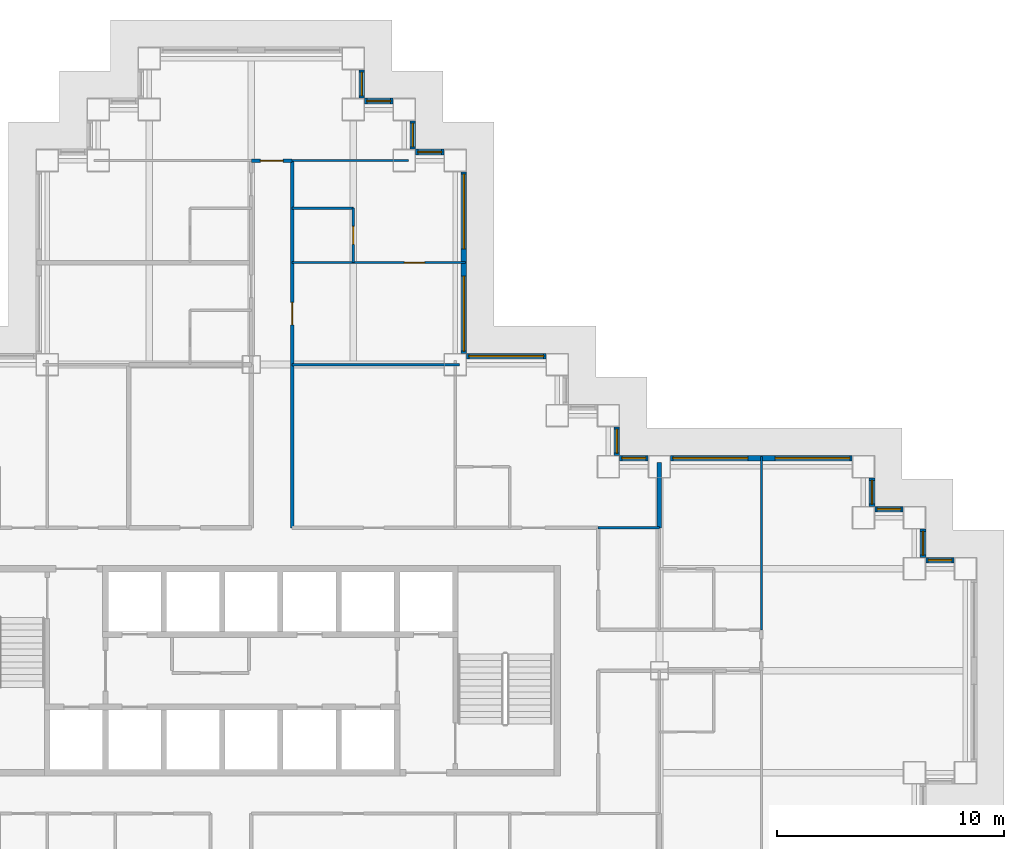
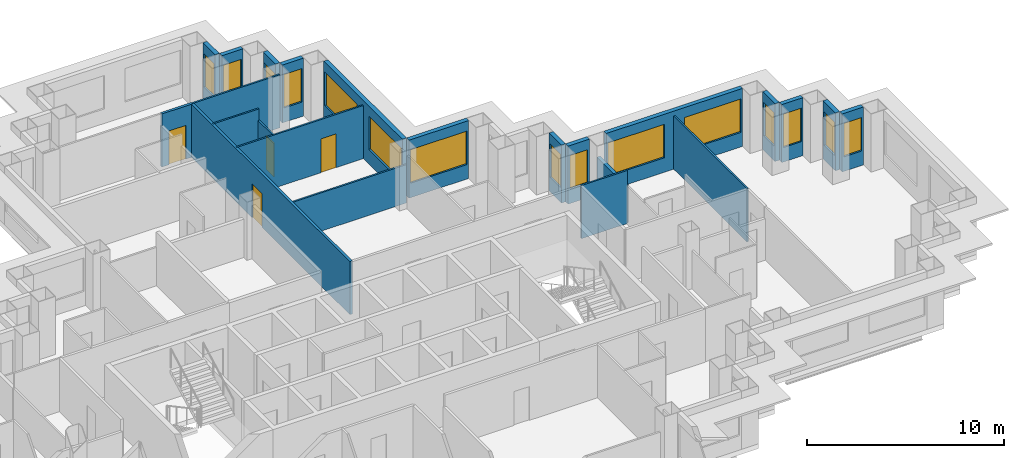
# One storey, part 9 of 14: 23 walls, 15 windows, 4 doors, 19 openings.
"""IFC4 building model written with IfcOpenShell, lengths in metres."""

from ifc_helpers import new_model, si_unit, direction, frame, frame_2d, origin, place, context, subcontext, project, spatial, rectangle, extrude, material, layer, layer_set, type_object, element, fill, save


model = new_model("IFC4")

# Units and contexts
model_context = context("Model", 3, precision=1e-05, world=origin(), true_north=direction((0.0, 1.0)))
body_context = subcontext(model_context, "Body", "Model", "MODEL_VIEW")
ifc_project = project(units=[si_unit("LENGTHUNIT", "METRE"), si_unit("AREAUNIT", "SQUARE_METRE"), si_unit("VOLUMEUNIT", "CUBIC_METRE"), si_unit("PLANEANGLEUNIT", "RADIAN"), si_unit("MASSUNIT", "GRAM", prefix="KILO")], contexts=[model_context])

# Site, building, storey
site_placement = place(None, origin())
site = spatial("IfcSite", under=ifc_project, at=site_placement, CompositionType="ELEMENT")
building_placement = place(site_placement, origin())
building = spatial("IfcBuilding", under=site, at=building_placement, Name="Caravel Reach Hotel and Residences", CompositionType="ELEMENT")
storey_placement = place(building_placement, frame((0.0, 0.0, 67.199951171875)))
storey = spatial("IfcBuildingStorey", under=building, at=storey_placement, Name="L15", CompositionType="ELEMENT", Elevation=67.199951171875)

# Wall
ifc_material_1 = material(Name="Gypsum board on steel stud", Category="steel")
ifc_layer_1 = layer(ifc_material_1, 0.10009765625)
ifc_layer_set_1 = layer_set([ifc_layer_1], Name="Bathroom pod wall 100 mm")
wall_type_1 = type_object("IfcWallType", Name="Bathroom pod wall 100 mm", PredefinedType="PARTITIONING", material=ifc_layer_set_1)
wall_1_placement = place(storey_placement, frame((33.300048828125, 47.39990234375, 0.0), z_axis=(0.0, 0.0, 1.0), x_axis=(1.0, 0.0, 0.0)))
element("IfcWall", 1, at=wall_1_placement, inside=storey, type_object=wall_type_1, Name="L15 wall w085", PredefinedType="PARTITIONING", context=body_context, shape_type="SweptSolid", body=[
    extrude(rectangle(XDim=2.699951171875, YDim=0.10009765625, at=frame_2d((1.35009765625, 0.0))), origin(), (0.0, 0.0, 1.0), 3.300048828125),
])

# Wall, opening, door
wall_2_placement = place(storey_placement, frame((36.0, 45.0, 0.0), z_axis=(0.0, 0.0, 1.0), x_axis=(0.0, 1.0, 0.0)))
wall_2 = element("IfcWall", 2, at=wall_2_placement, inside=storey, type_object=wall_type_1, Name="L15 wall w100", PredefinedType="PARTITIONING", context=body_context, shape_type="SweptSolid", body=[
    extrude(rectangle(XDim=2.39990234375, YDim=0.10009765625, at=frame_2d((1.199951171875, 0.0))), origin(), (0.0, 0.0, 1.0), 2.580078125),
])
opening_1_placement = place(wall_2_placement, frame((0.800048828125, 0.0, 0.0)))
opening_1 = element("IfcOpeningElement", 3, at=opening_1_placement, cuts=wall_2, Name="Opening D15-029", PredefinedType="OPENING", context=body_context, shape_type="SweptSolid", body=[
    extrude(rectangle(XDim=0.800048828125, YDim=2.10009765625, at=frame_2d((0.39990234375, 1.050048828125))), frame((0.0, 0.06005859375, 0.0), z_axis=(0.0, -1.0, 0.0), x_axis=(1.0, 0.0, 0.0)), (0.0, 0.0, 1.0), 0.1201171875),
])
ifc_material_2 = material(Name="Timber and steel door leaf", Category="steel")
door_type_1 = type_object("IfcDoorType", Name="Bathroom door 800 x 2100", OperationType="SINGLE_SWING_LEFT", PredefinedType="DOOR", material=ifc_material_2)
door_1_placement = place(opening_1_placement, origin())
door_1 = element("IfcDoor", 4, at=door_1_placement, inside=storey, type_object=door_type_1, Name="door D15-029", OperationType="SINGLE_SWING_RIGHT", OverallHeight=2.10009765625, OverallWidth=0.800048828125, PredefinedType="DOOR", context=body_context, shape_type="SweptSolid", body=[
    extrude(rectangle(XDim=0.800048828125, YDim=2.10009765625, at=frame_2d((0.39990234375, 1.050048828125))), frame((0.0, 0.02490234375, 0.0), z_axis=(0.0, -1.0, 0.0), x_axis=(1.0, 0.0, 0.0)), (0.0, 0.0, 1.0), 0.050048828125),
])
fill(opening_1, door_1)

ifc_material_3 = material(Name="Gypsum board on steel stud, fire-rated", Category="steel")
ifc_layer_2 = layer(ifc_material_3, 0.14990234375)
ifc_layer_set_2 = layer_set([ifc_layer_2], Name="Corridor wall 150 mm EI 60")
wall_type_2 = type_object("IfcWallType", Name="Corridor wall 150 mm EI 60", PredefinedType="PARTITIONING", material=ifc_layer_set_2)
wall_3_placement = place(storey_placement, frame((31.5, 49.5, 0.0), z_axis=(0.0, 0.0, 1.0), x_axis=(1.0, 0.0, 0.0)))
wall_3 = element("IfcWall", 5, at=wall_3_placement, inside=storey, type_object=wall_type_2, Name="L15 wall w020", PredefinedType="PARTITIONING", context=body_context, shape_type="SweptSolid", body=[
    extrude(rectangle(XDim=1.800048828125, YDim=0.14990234375, at=frame_2d((0.89990234375, 0.0))), origin(), (0.0, 0.0, 1.0), 3.300048828125),
])
opening_2_placement = place(wall_3_placement, frame((0.39990234375, 0.0, 0.0)))
opening_2 = element("IfcOpeningElement", 6, at=opening_2_placement, cuts=wall_3, Name="Opening D15-039", PredefinedType="OPENING", context=body_context, shape_type="SweptSolid", body=[
    extrude(rectangle(XDim=1.0, YDim=2.10009765625, at=frame_2d((0.5, 1.050048828125))), frame((0.0, 0.0849609375, 0.0), z_axis=(0.0, -1.0, 0.0), x_axis=(1.0, 0.0, 0.0)), (0.0, 0.0, 1.0), 0.169921875),
])
ifc_material_4 = material(Name="Steel fire door leaf", Category="steel")
door_type_2 = type_object("IfcDoorType", Name="Guest room door 1000 x 2100 EI 30", OperationType="SINGLE_SWING_LEFT", PredefinedType="DOOR", material=ifc_material_4)
door_2_placement = place(opening_2_placement, origin())
door_2 = element("IfcDoor", 7, at=door_2_placement, inside=storey, type_object=door_type_2, Name="door D15-039", OperationType="SINGLE_SWING_RIGHT", OverallHeight=2.10009765625, OverallWidth=1.0, PredefinedType="DOOR", context=body_context, shape_type="SweptSolid", body=[
    extrude(rectangle(XDim=1.0, YDim=2.10009765625, at=frame_2d((0.5, 1.050048828125))), frame((0.0, 0.02490234375, 0.0), z_axis=(0.0, -1.0, 0.0), x_axis=(1.0, 0.0, 0.0)), (0.0, 0.0, 1.0), 0.050048828125),
])
fill(opening_2, door_2)

wall_4_placement = place(storey_placement, frame((33.300048828125, 33.300048828125, 0.0), z_axis=(0.0, 0.0, 1.0), x_axis=(0.0, 1.0, 0.0)))
wall_4 = element("IfcWall", 8, at=wall_4_placement, inside=storey, type_object=wall_type_2, Name="L15 wall w031", PredefinedType="PARTITIONING", context=body_context, shape_type="SweptSolid", body=[
    extrude(rectangle(XDim=16.199951171875, YDim=0.14990234375, at=frame_2d((8.10009765625, 0.0))), origin(), (0.0, 0.0, 1.0), 3.300048828125),
])
opening_3_placement = place(wall_4_placement, frame((8.949951171875, 0.0, 0.0)))
opening_3 = element("IfcOpeningElement", 9, at=opening_3_placement, cuts=wall_4, Name="Opening D15-027", PredefinedType="OPENING", context=body_context, shape_type="SweptSolid", body=[
    extrude(rectangle(XDim=1.0, YDim=2.10009765625, at=frame_2d((0.5, 1.050048828125))), frame((0.0, 0.0849609375, 0.0), z_axis=(0.0, -1.0, 0.0), x_axis=(1.0, 0.0, 0.0)), (0.0, 0.0, 1.0), 0.169921875),
])
door_3_placement = place(opening_3_placement, origin())
door_3 = element("IfcDoor", 10, at=door_3_placement, inside=storey, type_object=door_type_2, Name="door D15-027", OperationType="SINGLE_SWING_LEFT", OverallHeight=2.10009765625, OverallWidth=1.0, PredefinedType="DOOR", context=body_context, shape_type="SweptSolid", body=[
    extrude(rectangle(XDim=1.0, YDim=2.10009765625, at=frame_2d((0.5, 1.050048828125))), frame((0.0, 0.02490234375, 0.0), z_axis=(0.0, -1.0, 0.0), x_axis=(1.0, 0.0, 0.0)), (0.0, 0.0, 1.0), 0.050048828125),
])
fill(opening_3, door_3)

# Wall, opening, window
ifc_material_5 = material(Name="Insulated rainscreen wall, aluminium cladding", Category="aluminium")
ifc_layer_3 = layer(ifc_material_5, 0.25)
ifc_layer_set_3 = layer_set([ifc_layer_3], Name="EW1 Tower rainscreen wall")
wall_type_3 = type_object("IfcWallType", Name="EW1 Tower rainscreen wall", PredefinedType="SOLIDWALL", material=ifc_layer_set_3)
wall_5_placement = place(storey_placement, frame((62.5, 31.875, 0.0), z_axis=(0.0, 0.0, 1.0), x_axis=(-1.0, 0.0, 0.0)))
wall_5 = element("IfcWall", 11, at=wall_5_placement, inside=storey, type_object=wall_type_3, Name="External wall L15 N21.1", PredefinedType="SOLIDWALL", context=body_context, shape_type="SweptSolid", body=[
    extrude(rectangle(XDim=1.25, YDim=0.25, at=frame_2d((0.625, 0.0))), origin(), (0.0, 0.0, 1.0), 3.60009765625),
])
opening_4_placement = place(wall_5_placement, frame((0.10009765625, 0.0, 0.89990234375)))
opening_4 = element("IfcOpeningElement", 12, at=opening_4_placement, cuts=wall_5, Name="Opening WN3", PredefinedType="OPENING", context=body_context, shape_type="SweptSolid", body=[
    extrude(rectangle(XDim=1.050048828125, YDim=2.080078125, at=frame_2d((0.52490234375, 1.0400390625))), frame((0.0, 0.135009765625, 0.0), z_axis=(0.0, -1.0, 0.0), x_axis=(1.0, 0.0, 0.0)), (0.0, 0.0, 1.0), 0.27001953125),
])
ifc_material_6 = material(Name="Dark low-e glazing in black aluminium frame", Category="aluminium")
window_type_1 = type_object("IfcWindowType", Name="Hotel suite corner window 1050 x 2080", PartitioningType="SINGLE_PANEL", PredefinedType="WINDOW", material=ifc_material_6)
window_1_placement = place(opening_4_placement, origin())
window_1 = element("IfcWindow", 13, at=window_1_placement, inside=storey, type_object=window_type_1, Name="Window L15 N21.1.1", OverallHeight=2.080078125, OverallWidth=1.050048828125, PartitioningType="SINGLE_PANEL", PredefinedType="WINDOW", context=body_context, shape_type="SweptSolid", body=[
    extrude(rectangle(XDim=1.050048828125, YDim=2.080078125, at=frame_2d((0.52490234375, 1.0400390625))), frame((0.0, 0.030029296875, 0.0), z_axis=(0.0, -1.0, 0.0), x_axis=(1.0, 0.0, 0.0)), (0.0, 0.0, 1.0), 0.06005859375),
])
fill(opening_4, window_1)

wall_6_placement = place(storey_placement, frame((61.125, 32.0, 0.0), z_axis=(0.0, 0.0, 1.0), x_axis=(0.0, 1.0, 0.0)))
wall_6 = element("IfcWall", 14, at=wall_6_placement, inside=storey, type_object=wall_type_3, Name="External wall L15 E22.1", PredefinedType="SOLIDWALL", context=body_context, shape_type="SweptSolid", body=[
    extrude(rectangle(XDim=1.25, YDim=0.25, at=frame_2d((0.625, 0.0))), origin(), (0.0, 0.0, 1.0), 3.60009765625),
])
opening_5_placement = place(wall_6_placement, frame((0.10009765625, 0.0, 0.89990234375)))
opening_5 = element("IfcOpeningElement", 15, at=opening_5_placement, cuts=wall_6, Name="Opening WN3", PredefinedType="OPENING", context=body_context, shape_type="SweptSolid", body=[
    extrude(rectangle(XDim=1.050048828125, YDim=2.080078125, at=frame_2d((0.52490234375, 1.0400390625))), frame((0.0, 0.135009765625, 0.0), z_axis=(0.0, -1.0, 0.0), x_axis=(1.0, 0.0, 0.0)), (0.0, 0.0, 1.0), 0.27001953125),
])
window_2_placement = place(opening_5_placement, origin())
window_2 = element("IfcWindow", 16, at=window_2_placement, inside=storey, type_object=window_type_1, Name="Window L15 E22.1.1", OverallHeight=2.080078125, OverallWidth=1.050048828125, PartitioningType="SINGLE_PANEL", PredefinedType="WINDOW", context=body_context, shape_type="SweptSolid", body=[
    extrude(rectangle(XDim=1.050048828125, YDim=2.080078125, at=frame_2d((0.52490234375, 1.0400390625))), frame((0.0, 0.030029296875, 0.0), z_axis=(0.0, -1.0, 0.0), x_axis=(1.0, 0.0, 0.0)), (0.0, 0.0, 1.0), 0.06005859375),
])
fill(opening_5, window_2)

wall_7_placement = place(storey_placement, frame((60.25, 34.125, 0.0), z_axis=(0.0, 0.0, 1.0), x_axis=(-1.0, 0.0, 0.0)))
wall_7 = element("IfcWall", 17, at=wall_7_placement, inside=storey, type_object=wall_type_3, Name="External wall L15 N23.1", PredefinedType="SOLIDWALL", context=body_context, shape_type="SweptSolid", body=[
    extrude(rectangle(XDim=1.25, YDim=0.25, at=frame_2d((0.625, 0.0))), origin(), (0.0, 0.0, 1.0), 3.60009765625),
])
opening_6_placement = place(wall_7_placement, frame((0.10009765625, 0.0, 0.89990234375)))
opening_6 = element("IfcOpeningElement", 18, at=opening_6_placement, cuts=wall_7, Name="Opening WN3", PredefinedType="OPENING", context=body_context, shape_type="SweptSolid", body=[
    extrude(rectangle(XDim=1.050048828125, YDim=2.080078125, at=frame_2d((0.52490234375, 1.0400390625))), frame((0.0, 0.135009765625, 0.0), z_axis=(0.0, -1.0, 0.0), x_axis=(1.0, 0.0, 0.0)), (0.0, 0.0, 1.0), 0.27001953125),
])
window_3_placement = place(opening_6_placement, origin())
window_3 = element("IfcWindow", 19, at=window_3_placement, inside=storey, type_object=window_type_1, Name="Window L15 N23.1.1", OverallHeight=2.080078125, OverallWidth=1.050048828125, PartitioningType="SINGLE_PANEL", PredefinedType="WINDOW", context=body_context, shape_type="SweptSolid", body=[
    extrude(rectangle(XDim=1.050048828125, YDim=2.080078125, at=frame_2d((0.52490234375, 1.0400390625))), frame((0.0, 0.030029296875, 0.0), z_axis=(0.0, -1.0, 0.0), x_axis=(1.0, 0.0, 0.0)), (0.0, 0.0, 1.0), 0.06005859375),
])
fill(opening_6, window_3)

wall_8_placement = place(storey_placement, frame((58.875, 34.25, 0.0), z_axis=(0.0, 0.0, 1.0), x_axis=(0.0, 1.0, 0.0)))
wall_8 = element("IfcWall", 20, at=wall_8_placement, inside=storey, type_object=wall_type_3, Name="External wall L15 E24.1", PredefinedType="SOLIDWALL", context=body_context, shape_type="SweptSolid", body=[
    extrude(rectangle(XDim=1.25, YDim=0.25, at=frame_2d((0.625, 0.0))), origin(), (0.0, 0.0, 1.0), 3.60009765625),
])
opening_7_placement = place(wall_8_placement, frame((0.10009765625, 0.0, 0.89990234375)))
opening_7 = element("IfcOpeningElement", 21, at=opening_7_placement, cuts=wall_8, Name="Opening WN3", PredefinedType="OPENING", context=body_context, shape_type="SweptSolid", body=[
    extrude(rectangle(XDim=1.050048828125, YDim=2.080078125, at=frame_2d((0.52490234375, 1.0400390625))), frame((0.0, 0.135009765625, 0.0), z_axis=(0.0, -1.0, 0.0), x_axis=(1.0, 0.0, 0.0)), (0.0, 0.0, 1.0), 0.27001953125),
])
window_4_placement = place(opening_7_placement, origin())
window_4 = element("IfcWindow", 22, at=window_4_placement, inside=storey, type_object=window_type_1, Name="Window L15 E24.1.1", OverallHeight=2.080078125, OverallWidth=1.050048828125, PartitioningType="SINGLE_PANEL", PredefinedType="WINDOW", context=body_context, shape_type="SweptSolid", body=[
    extrude(rectangle(XDim=1.050048828125, YDim=2.080078125, at=frame_2d((0.52490234375, 1.0400390625))), frame((0.0, 0.030029296875, 0.0), z_axis=(0.0, -1.0, 0.0), x_axis=(1.0, 0.0, 0.0)), (0.0, 0.0, 1.0), 0.06005859375),
])
fill(opening_7, window_4)

# Wall, openings, windows
wall_9_placement = place(storey_placement, frame((58.0, 36.375, 0.0), z_axis=(0.0, 0.0, 1.0), x_axis=(-1.0, 0.0, 0.0)))
wall_9 = element("IfcWall", 23, at=wall_9_placement, inside=storey, type_object=wall_type_3, Name="External wall L15 N25.1", PredefinedType="SOLIDWALL", context=body_context, shape_type="SweptSolid", body=[
    extrude(rectangle(XDim=8.0, YDim=0.25, at=frame_2d((4.0, 0.0))), origin(), (0.0, 0.0, 1.0), 3.60009765625),
])
opening_8_placement = place(wall_9_placement, frame((0.10009765625, 0.0, 0.89990234375)))
opening_8 = element("IfcOpeningElement", 24, at=opening_8_placement, cuts=wall_9, Name="Opening WN4", PredefinedType="OPENING", context=body_context, shape_type="SweptSolid", body=[
    extrude(rectangle(XDim=3.300048828125, YDim=2.080078125, at=frame_2d((1.64990234375, 1.0400390625))), frame((0.0, 0.135009765625, 0.0), z_axis=(0.0, -1.0, 0.0), x_axis=(1.0, 0.0, 0.0)), (0.0, 0.0, 1.0), 0.27001953125),
])
opening_9_placement = place(wall_9_placement, frame((4.60009765625, 0.0, 0.89990234375)))
opening_9 = element("IfcOpeningElement", 25, at=opening_9_placement, cuts=wall_9, Name="Opening WN4", PredefinedType="OPENING", context=body_context, shape_type="SweptSolid", body=[
    extrude(rectangle(XDim=3.300048828125, YDim=2.080078125, at=frame_2d((1.64990234375, 1.0400390625))), frame((0.0, 0.135009765625, 0.0), z_axis=(0.0, -1.0, 0.0), x_axis=(1.0, 0.0, 0.0)), (0.0, 0.0, 1.0), 0.27001953125),
])
ifc_material_7 = material(Name="Dark low-e glazing in black aluminium frame", Category="aluminium")
window_type_2 = type_object("IfcWindowType", Name="Hotel guest room window 3300 x 2080", PartitioningType="SINGLE_PANEL", PredefinedType="WINDOW", material=ifc_material_7)
window_5_placement = place(opening_8_placement, origin())
window_5 = element("IfcWindow", 26, at=window_5_placement, inside=storey, type_object=window_type_2, Name="Window L15 N25.1.1", OverallHeight=2.080078125, OverallWidth=3.300048828125, PartitioningType="SINGLE_PANEL", PredefinedType="WINDOW", context=body_context, shape_type="SweptSolid", body=[
    extrude(rectangle(XDim=3.300048828125, YDim=2.080078125, at=frame_2d((1.64990234375, 1.0400390625))), frame((0.0, 0.030029296875, 0.0), z_axis=(0.0, -1.0, 0.0), x_axis=(1.0, 0.0, 0.0)), (0.0, 0.0, 1.0), 0.06005859375),
])
fill(opening_8, window_5)
window_6_placement = place(opening_9_placement, origin())
window_6 = element("IfcWindow", 27, at=window_6_placement, inside=storey, type_object=window_type_2, Name="Window L15 N25.1.2", OverallHeight=2.080078125, OverallWidth=3.300048828125, PartitioningType="SINGLE_PANEL", PredefinedType="WINDOW", context=body_context, shape_type="SweptSolid", body=[
    extrude(rectangle(XDim=3.300048828125, YDim=2.080078125, at=frame_2d((1.64990234375, 1.0400390625))), frame((0.0, 0.030029296875, 0.0), z_axis=(0.0, -1.0, 0.0), x_axis=(1.0, 0.0, 0.0)), (0.0, 0.0, 1.0), 0.06005859375),
])
fill(opening_9, window_6)

# Wall, opening, window
wall_10_placement = place(storey_placement, frame((49.0, 36.375, 0.0), z_axis=(0.0, 0.0, 1.0), x_axis=(-1.0, 0.0, 0.0)))
wall_10 = element("IfcWall", 28, at=wall_10_placement, inside=storey, type_object=wall_type_3, Name="External wall L15 N25.2", PredefinedType="SOLIDWALL", context=body_context, shape_type="SweptSolid", body=[
    extrude(rectangle(XDim=1.25, YDim=0.25, at=frame_2d((0.625, 0.0))), origin(), (0.0, 0.0, 1.0), 3.60009765625),
])
opening_10_placement = place(wall_10_placement, frame((0.10009765625, 0.0, 0.89990234375)))
opening_10 = element("IfcOpeningElement", 29, at=opening_10_placement, cuts=wall_10, Name="Opening WN3", PredefinedType="OPENING", context=body_context, shape_type="SweptSolid", body=[
    extrude(rectangle(XDim=1.050048828125, YDim=2.080078125, at=frame_2d((0.52490234375, 1.0400390625))), frame((0.0, 0.135009765625, 0.0), z_axis=(0.0, -1.0, 0.0), x_axis=(1.0, 0.0, 0.0)), (0.0, 0.0, 1.0), 0.27001953125),
])
window_7_placement = place(opening_10_placement, origin())
window_7 = element("IfcWindow", 30, at=window_7_placement, inside=storey, type_object=window_type_1, Name="Window L15 N25.2.1", OverallHeight=2.080078125, OverallWidth=1.050048828125, PartitioningType="SINGLE_PANEL", PredefinedType="WINDOW", context=body_context, shape_type="SweptSolid", body=[
    extrude(rectangle(XDim=1.050048828125, YDim=2.080078125, at=frame_2d((0.52490234375, 1.0400390625))), frame((0.0, 0.030029296875, 0.0), z_axis=(0.0, -1.0, 0.0), x_axis=(1.0, 0.0, 0.0)), (0.0, 0.0, 1.0), 0.06005859375),
])
fill(opening_10, window_7)

wall_11_placement = place(storey_placement, frame((47.625, 36.5, 0.0), z_axis=(0.0, 0.0, 1.0), x_axis=(0.0, 1.0, 0.0)))
wall_11 = element("IfcWall", 31, at=wall_11_placement, inside=storey, type_object=wall_type_3, Name="External wall L15 E26.1", PredefinedType="SOLIDWALL", context=body_context, shape_type="SweptSolid", body=[
    extrude(rectangle(XDim=1.25, YDim=0.25, at=frame_2d((0.625, 0.0))), origin(), (0.0, 0.0, 1.0), 3.60009765625),
])
opening_11_placement = place(wall_11_placement, frame((0.10009765625, 0.0, 0.89990234375)))
opening_11 = element("IfcOpeningElement", 32, at=opening_11_placement, cuts=wall_11, Name="Opening WN3", PredefinedType="OPENING", context=body_context, shape_type="SweptSolid", body=[
    extrude(rectangle(XDim=1.050048828125, YDim=2.080078125, at=frame_2d((0.52490234375, 1.0400390625))), frame((0.0, 0.135009765625, 0.0), z_axis=(0.0, -1.0, 0.0), x_axis=(1.0, 0.0, 0.0)), (0.0, 0.0, 1.0), 0.27001953125),
])
window_8_placement = place(opening_11_placement, origin())
window_8 = element("IfcWindow", 33, at=window_8_placement, inside=storey, type_object=window_type_1, Name="Window L15 E26.1.1", OverallHeight=2.080078125, OverallWidth=1.050048828125, PartitioningType="SINGLE_PANEL", PredefinedType="WINDOW", context=body_context, shape_type="SweptSolid", body=[
    extrude(rectangle(XDim=1.050048828125, YDim=2.080078125, at=frame_2d((0.52490234375, 1.0400390625))), frame((0.0, 0.030029296875, 0.0), z_axis=(0.0, -1.0, 0.0), x_axis=(1.0, 0.0, 0.0)), (0.0, 0.0, 1.0), 0.06005859375),
])
fill(opening_11, window_8)

wall_12_placement = place(storey_placement, frame((44.5, 40.875, 0.0), z_axis=(0.0, 0.0, 1.0), x_axis=(-1.0, 0.0, 0.0)))
wall_12 = element("IfcWall", 34, at=wall_12_placement, inside=storey, type_object=wall_type_3, Name="External wall L15 N29.1", PredefinedType="SOLIDWALL", context=body_context, shape_type="SweptSolid", body=[
    extrude(rectangle(XDim=3.5, YDim=0.25, at=frame_2d((1.75, 0.0))), origin(), (0.0, 0.0, 1.0), 3.60009765625),
])
opening_12_placement = place(wall_12_placement, frame((0.10009765625, 0.0, 0.89990234375)))
opening_12 = element("IfcOpeningElement", 35, at=opening_12_placement, cuts=wall_12, Name="Opening WN4", PredefinedType="OPENING", context=body_context, shape_type="SweptSolid", body=[
    extrude(rectangle(XDim=3.300048828125, YDim=2.080078125, at=frame_2d((1.64990234375, 1.0400390625))), frame((0.0, 0.135009765625, 0.0), z_axis=(0.0, -1.0, 0.0), x_axis=(1.0, 0.0, 0.0)), (0.0, 0.0, 1.0), 0.27001953125),
])
window_9_placement = place(opening_12_placement, origin())
window_9 = element("IfcWindow", 36, at=window_9_placement, inside=storey, type_object=window_type_2, Name="Window L15 N29.1.1", OverallHeight=2.080078125, OverallWidth=3.300048828125, PartitioningType="SINGLE_PANEL", PredefinedType="WINDOW", context=body_context, shape_type="SweptSolid", body=[
    extrude(rectangle(XDim=3.300048828125, YDim=2.080078125, at=frame_2d((1.64990234375, 1.0400390625))), frame((0.0, 0.030029296875, 0.0), z_axis=(0.0, -1.0, 0.0), x_axis=(1.0, 0.0, 0.0)), (0.0, 0.0, 1.0), 0.06005859375),
])
fill(opening_12, window_9)

# Wall, openings, windows
wall_13_placement = place(storey_placement, frame((40.875, 41.0, 0.0), z_axis=(0.0, 0.0, 1.0), x_axis=(0.0, 1.0, 0.0)))
wall_13 = element("IfcWall", 37, at=wall_13_placement, inside=storey, type_object=wall_type_3, Name="External wall L15 E30.1", PredefinedType="SOLIDWALL", context=body_context, shape_type="SweptSolid", body=[
    extrude(rectangle(XDim=8.0, YDim=0.25, at=frame_2d((4.0, 0.0))), origin(), (0.0, 0.0, 1.0), 3.60009765625),
])
opening_13_placement = place(wall_13_placement, frame((0.10009765625, 0.0, 0.89990234375)))
opening_13 = element("IfcOpeningElement", 38, at=opening_13_placement, cuts=wall_13, Name="Opening WN4", PredefinedType="OPENING", context=body_context, shape_type="SweptSolid", body=[
    extrude(rectangle(XDim=3.300048828125, YDim=2.080078125, at=frame_2d((1.64990234375, 1.0400390625))), frame((0.0, 0.135009765625, 0.0), z_axis=(0.0, -1.0, 0.0), x_axis=(1.0, 0.0, 0.0)), (0.0, 0.0, 1.0), 0.27001953125),
])
opening_14_placement = place(wall_13_placement, frame((4.60009765625, 0.0, 0.89990234375)))
opening_14 = element("IfcOpeningElement", 39, at=opening_14_placement, cuts=wall_13, Name="Opening WN4", PredefinedType="OPENING", context=body_context, shape_type="SweptSolid", body=[
    extrude(rectangle(XDim=3.300048828125, YDim=2.080078125, at=frame_2d((1.64990234375, 1.0400390625))), frame((0.0, 0.135009765625, 0.0), z_axis=(0.0, -1.0, 0.0), x_axis=(1.0, 0.0, 0.0)), (0.0, 0.0, 1.0), 0.27001953125),
])
window_10_placement = place(opening_13_placement, origin())
window_10 = element("IfcWindow", 40, at=window_10_placement, inside=storey, type_object=window_type_2, Name="Window L15 E30.1.1", OverallHeight=2.080078125, OverallWidth=3.300048828125, PartitioningType="SINGLE_PANEL", PredefinedType="WINDOW", context=body_context, shape_type="SweptSolid", body=[
    extrude(rectangle(XDim=3.300048828125, YDim=2.080078125, at=frame_2d((1.64990234375, 1.0400390625))), frame((0.0, 0.030029296875, 0.0), z_axis=(0.0, -1.0, 0.0), x_axis=(1.0, 0.0, 0.0)), (0.0, 0.0, 1.0), 0.06005859375),
])
fill(opening_13, window_10)
window_11_placement = place(opening_14_placement, origin())
window_11 = element("IfcWindow", 41, at=window_11_placement, inside=storey, type_object=window_type_2, Name="Window L15 E30.1.2", OverallHeight=2.080078125, OverallWidth=3.300048828125, PartitioningType="SINGLE_PANEL", PredefinedType="WINDOW", context=body_context, shape_type="SweptSolid", body=[
    extrude(rectangle(XDim=3.300048828125, YDim=2.080078125, at=frame_2d((1.64990234375, 1.0400390625))), frame((0.0, 0.030029296875, 0.0), z_axis=(0.0, -1.0, 0.0), x_axis=(1.0, 0.0, 0.0)), (0.0, 0.0, 1.0), 0.06005859375),
])
fill(opening_14, window_11)

# Wall, opening, window
wall_14_placement = place(storey_placement, frame((40.0, 49.875, 0.0), z_axis=(0.0, 0.0, 1.0), x_axis=(-1.0, 0.0, 0.0)))
wall_14 = element("IfcWall", 42, at=wall_14_placement, inside=storey, type_object=wall_type_3, Name="External wall L15 N31.1", PredefinedType="SOLIDWALL", context=body_context, shape_type="SweptSolid", body=[
    extrude(rectangle(XDim=1.25, YDim=0.25, at=frame_2d((0.625, 0.0))), origin(), (0.0, 0.0, 1.0), 3.60009765625),
])
opening_15_placement = place(wall_14_placement, frame((0.10009765625, 0.0, 0.89990234375)))
opening_15 = element("IfcOpeningElement", 43, at=opening_15_placement, cuts=wall_14, Name="Opening WN3", PredefinedType="OPENING", context=body_context, shape_type="SweptSolid", body=[
    extrude(rectangle(XDim=1.050048828125, YDim=2.080078125, at=frame_2d((0.52490234375, 1.0400390625))), frame((0.0, 0.135009765625, 0.0), z_axis=(0.0, -1.0, 0.0), x_axis=(1.0, 0.0, 0.0)), (0.0, 0.0, 1.0), 0.27001953125),
])
window_12_placement = place(opening_15_placement, origin())
window_12 = element("IfcWindow", 44, at=window_12_placement, inside=storey, type_object=window_type_1, Name="Window L15 N31.1.1", OverallHeight=2.080078125, OverallWidth=1.050048828125, PartitioningType="SINGLE_PANEL", PredefinedType="WINDOW", context=body_context, shape_type="SweptSolid", body=[
    extrude(rectangle(XDim=1.050048828125, YDim=2.080078125, at=frame_2d((0.52490234375, 1.0400390625))), frame((0.0, 0.030029296875, 0.0), z_axis=(0.0, -1.0, 0.0), x_axis=(1.0, 0.0, 0.0)), (0.0, 0.0, 1.0), 0.06005859375),
])
fill(opening_15, window_12)

wall_15_placement = place(storey_placement, frame((38.625, 50.0, 0.0), z_axis=(0.0, 0.0, 1.0), x_axis=(0.0, 1.0, 0.0)))
wall_15 = element("IfcWall", 45, at=wall_15_placement, inside=storey, type_object=wall_type_3, Name="External wall L15 E32.1", PredefinedType="SOLIDWALL", context=body_context, shape_type="SweptSolid", body=[
    extrude(rectangle(XDim=1.25, YDim=0.25, at=frame_2d((0.625, 0.0))), origin(), (0.0, 0.0, 1.0), 3.60009765625),
])
opening_16_placement = place(wall_15_placement, frame((0.10009765625, 0.0, 0.89990234375)))
opening_16 = element("IfcOpeningElement", 46, at=opening_16_placement, cuts=wall_15, Name="Opening WN3", PredefinedType="OPENING", context=body_context, shape_type="SweptSolid", body=[
    extrude(rectangle(XDim=1.050048828125, YDim=2.080078125, at=frame_2d((0.52490234375, 1.0400390625))), frame((0.0, 0.135009765625, 0.0), z_axis=(0.0, -1.0, 0.0), x_axis=(1.0, 0.0, 0.0)), (0.0, 0.0, 1.0), 0.27001953125),
])
window_13_placement = place(opening_16_placement, origin())
window_13 = element("IfcWindow", 47, at=window_13_placement, inside=storey, type_object=window_type_1, Name="Window L15 E32.1.1", OverallHeight=2.080078125, OverallWidth=1.050048828125, PartitioningType="SINGLE_PANEL", PredefinedType="WINDOW", context=body_context, shape_type="SweptSolid", body=[
    extrude(rectangle(XDim=1.050048828125, YDim=2.080078125, at=frame_2d((0.52490234375, 1.0400390625))), frame((0.0, 0.030029296875, 0.0), z_axis=(0.0, -1.0, 0.0), x_axis=(1.0, 0.0, 0.0)), (0.0, 0.0, 1.0), 0.06005859375),
])
fill(opening_16, window_13)

wall_16_placement = place(storey_placement, frame((37.75, 52.125, 0.0), z_axis=(0.0, 0.0, 1.0), x_axis=(-1.0, 0.0, 0.0)))
wall_16 = element("IfcWall", 48, at=wall_16_placement, inside=storey, type_object=wall_type_3, Name="External wall L15 N33.1", PredefinedType="SOLIDWALL", context=body_context, shape_type="SweptSolid", body=[
    extrude(rectangle(XDim=1.25, YDim=0.25, at=frame_2d((0.625, 0.0))), origin(), (0.0, 0.0, 1.0), 3.60009765625),
])
opening_17_placement = place(wall_16_placement, frame((0.10009765625, 0.0, 0.89990234375)))
opening_17 = element("IfcOpeningElement", 49, at=opening_17_placement, cuts=wall_16, Name="Opening WN3", PredefinedType="OPENING", context=body_context, shape_type="SweptSolid", body=[
    extrude(rectangle(XDim=1.050048828125, YDim=2.080078125, at=frame_2d((0.52490234375, 1.0400390625))), frame((0.0, 0.135009765625, 0.0), z_axis=(0.0, -1.0, 0.0), x_axis=(1.0, 0.0, 0.0)), (0.0, 0.0, 1.0), 0.27001953125),
])
window_14_placement = place(opening_17_placement, origin())
window_14 = element("IfcWindow", 50, at=window_14_placement, inside=storey, type_object=window_type_1, Name="Window L15 N33.1.1", OverallHeight=2.080078125, OverallWidth=1.050048828125, PartitioningType="SINGLE_PANEL", PredefinedType="WINDOW", context=body_context, shape_type="SweptSolid", body=[
    extrude(rectangle(XDim=1.050048828125, YDim=2.080078125, at=frame_2d((0.52490234375, 1.0400390625))), frame((0.0, 0.030029296875, 0.0), z_axis=(0.0, -1.0, 0.0), x_axis=(1.0, 0.0, 0.0)), (0.0, 0.0, 1.0), 0.06005859375),
])
fill(opening_17, window_14)

wall_17_placement = place(storey_placement, frame((36.375, 52.25, 0.0), z_axis=(0.0, 0.0, 1.0), x_axis=(0.0, 1.0, 0.0)))
wall_17 = element("IfcWall", 51, at=wall_17_placement, inside=storey, type_object=wall_type_3, Name="External wall L15 E34.1", PredefinedType="SOLIDWALL", context=body_context, shape_type="SweptSolid", body=[
    extrude(rectangle(XDim=1.25, YDim=0.25, at=frame_2d((0.625, 0.0))), origin(), (0.0, 0.0, 1.0), 3.60009765625),
])
opening_18_placement = place(wall_17_placement, frame((0.10009765625, 0.0, 0.89990234375)))
opening_18 = element("IfcOpeningElement", 52, at=opening_18_placement, cuts=wall_17, Name="Opening WN3", PredefinedType="OPENING", context=body_context, shape_type="SweptSolid", body=[
    extrude(rectangle(XDim=1.050048828125, YDim=2.080078125, at=frame_2d((0.52490234375, 1.0400390625))), frame((0.0, 0.135009765625, 0.0), z_axis=(0.0, -1.0, 0.0), x_axis=(1.0, 0.0, 0.0)), (0.0, 0.0, 1.0), 0.27001953125),
])
window_15_placement = place(opening_18_placement, origin())
window_15 = element("IfcWindow", 53, at=window_15_placement, inside=storey, type_object=window_type_1, Name="Window L15 E34.1.1", OverallHeight=2.080078125, OverallWidth=1.050048828125, PartitioningType="SINGLE_PANEL", PredefinedType="WINDOW", context=body_context, shape_type="SweptSolid", body=[
    extrude(rectangle(XDim=1.050048828125, YDim=2.080078125, at=frame_2d((0.52490234375, 1.0400390625))), frame((0.0, 0.030029296875, 0.0), z_axis=(0.0, -1.0, 0.0), x_axis=(1.0, 0.0, 0.0)), (0.0, 0.0, 1.0), 0.06005859375),
])
fill(opening_18, window_15)

# Walls
ifc_material_8 = material(Name="Gypsum board on steel stud", Category="steel")
ifc_layer_4 = layer(ifc_material_8, 0.10009765625)
ifc_layer_set_4 = layer_set([ifc_layer_4], Name="Partition 100 mm")
wall_type_4 = type_object("IfcWallType", Name="Partition 100 mm", PredefinedType="PARTITIONING", material=ifc_layer_set_4)
wall_18_placement = place(storey_placement, frame((46.800048828125, 33.300048828125, 0.0), z_axis=(0.0, 0.0, 1.0), x_axis=(1.0, 0.0, 0.0)))
element("IfcWall", 54, at=wall_18_placement, inside=storey, type_object=wall_type_4, Name="L15 wall w044", PredefinedType="PARTITIONING", context=body_context, shape_type="SweptSolid", body=[
    extrude(rectangle(XDim=2.699951171875, YDim=0.10009765625, at=frame_2d((1.35009765625, 0.0))), origin(), (0.0, 0.0, 1.0), 3.300048828125),
])
wall_19_placement = place(storey_placement, frame((33.300048828125, 40.5, 0.0), z_axis=(0.0, 0.0, 1.0), x_axis=(1.0, 0.0, 0.0)))
element("IfcWall", 55, at=wall_19_placement, inside=storey, type_object=wall_type_4, Name="L15 wall w046", PredefinedType="PARTITIONING", context=body_context, shape_type="SweptSolid", body=[
    extrude(rectangle(XDim=7.389892578125, YDim=0.10009765625, at=frame_2d((3.69482421875, 0.0))), origin(), (0.0, 0.0, 1.0), 2.380126953125),
])

# Wall, opening, door
wall_20_placement = place(storey_placement, frame((33.300048828125, 45.0, 0.0), z_axis=(0.0, 0.0, 1.0), x_axis=(1.0, 0.0, 0.0)))
wall_20 = element("IfcWall", 56, at=wall_20_placement, inside=storey, type_object=wall_type_4, Name="L15 wall w047", PredefinedType="PARTITIONING", context=body_context, shape_type="SweptSolid", body=[
    extrude(rectangle(XDim=7.639892578125, YDim=0.10009765625, at=frame_2d((3.81982421875, 0.0))), origin(), (0.0, 0.0, 1.0), 3.300048828125),
])
opening_19_placement = place(wall_20_placement, frame((4.949951171875, 0.0, 0.0)))
opening_19 = element("IfcOpeningElement", 57, at=opening_19_placement, cuts=wall_20, Name="Opening D15-028", PredefinedType="OPENING", context=body_context, shape_type="SweptSolid", body=[
    extrude(rectangle(XDim=0.89990234375, YDim=2.10009765625, at=frame_2d((0.449951171875, 1.050048828125))), frame((0.0, 0.06005859375, 0.0), z_axis=(0.0, -1.0, 0.0), x_axis=(1.0, 0.0, 0.0)), (0.0, 0.0, 1.0), 0.1201171875),
])
ifc_material_9 = material(Name="Timber and steel door leaf", Category="steel")
door_type_3 = type_object("IfcDoorType", Name="Door 900 x 2100 timber", OperationType="SINGLE_SWING_LEFT", PredefinedType="DOOR", material=ifc_material_9)
door_4_placement = place(opening_19_placement, origin())
door_4 = element("IfcDoor", 58, at=door_4_placement, inside=storey, type_object=door_type_3, Name="door D15-028", OperationType="SINGLE_SWING_RIGHT", OverallHeight=2.10009765625, OverallWidth=0.89990234375, PredefinedType="DOOR", context=body_context, shape_type="SweptSolid", body=[
    extrude(rectangle(XDim=0.89990234375, YDim=2.10009765625, at=frame_2d((0.449951171875, 1.050048828125))), frame((0.0, 0.02490234375, 0.0), z_axis=(0.0, -1.0, 0.0), x_axis=(1.0, 0.0, 0.0)), (0.0, 0.0, 1.0), 0.050048828125),
])
fill(opening_19, door_4)

# Walls
wall_21_placement = place(storey_placement, frame((33.300048828125, 49.5, 0.0), z_axis=(0.0, 0.0, 1.0), x_axis=(1.0, 0.0, 0.0)))
element("IfcWall", 59, at=wall_21_placement, inside=storey, type_object=wall_type_4, Name="L15 wall w049", PredefinedType="PARTITIONING", context=body_context, shape_type="SweptSolid", body=[
    extrude(rectangle(XDim=5.139892578125, YDim=0.10009765625, at=frame_2d((2.56982421875, 0.0))), origin(), (0.0, 0.0, 1.0), 3.300048828125),
])
wall_22_placement = place(storey_placement, frame((54.0, 28.800048828125, 0.0), z_axis=(0.0, 0.0, 1.0), x_axis=(0.0, 1.0, 0.0)))
element("IfcWall", 60, at=wall_22_placement, inside=storey, type_object=wall_type_4, Name="L15 wall w062", PredefinedType="PARTITIONING", context=body_context, shape_type="SweptSolid", body=[
    extrude(rectangle(XDim=7.639892578125, YDim=0.10009765625, at=frame_2d((3.81982421875, 0.0))), origin(), (0.0, 0.0, 1.0), 3.300048828125),
])
ifc_material_10 = material(Name="Autoclaved aerated block wall")
ifc_layer_5 = layer(ifc_material_10, 0.199951171875)
ifc_layer_set_5 = layer_set([ifc_layer_5], Name="Party wall 200 mm EI 60")
wall_type_5 = type_object("IfcWallType", Name="Party wall 200 mm EI 60", PredefinedType="PARTITIONING", material=ifc_layer_set_5)
wall_23_placement = place(storey_placement, frame((49.5, 33.300048828125, 0.0), z_axis=(0.0, 0.0, 1.0), x_axis=(0.0, 1.0, 0.0)))
element("IfcWall", 61, at=wall_23_placement, inside=storey, type_object=wall_type_5, Name="L15 wall w071", PredefinedType="PARTITIONING", context=body_context, shape_type="SweptSolid", body=[
    extrude(rectangle(XDim=2.889892578125, YDim=0.199951171875, at=frame_2d((1.44482421875, 0.0))), origin(), (0.0, 0.0, 1.0), 2.380126953125),
])

save(model, "model.ifc")
